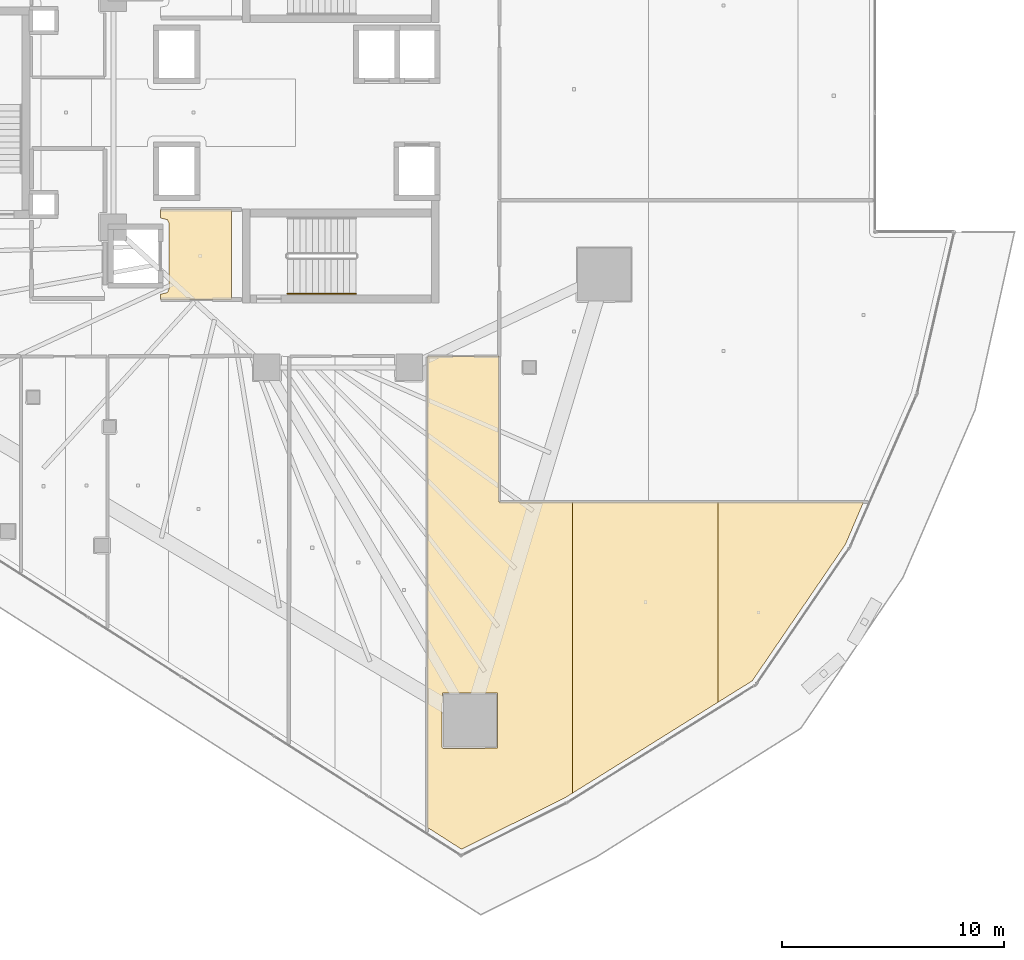
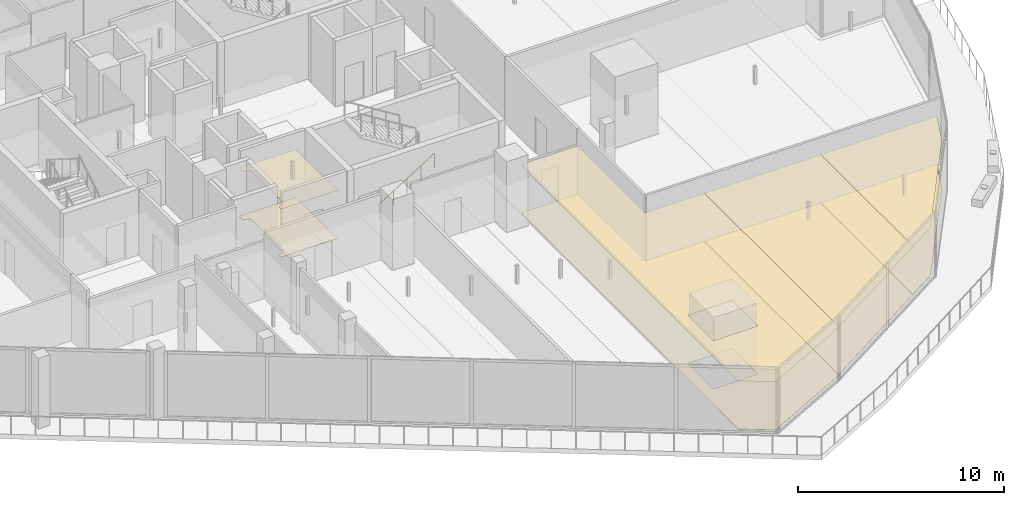
# One storey, part 38 of 44: 8 coverings, 1 railing.
"""IFC4 building model written with IfcOpenShell, lengths in metres."""

from ifc_helpers import new_model, si_unit, direction, frame, origin, origin_2d, place, context, subcontext, project, spatial, polyline, circle, outline, extrude, material, layer, layer_set, type_object, element, save


model = new_model("IFC4")

# Units and contexts
model_context = context("Model", 3, precision=1e-05, world=origin(), true_north=direction((0.0, 1.0)))
body_context = subcontext(model_context, "Body", "Model", "MODEL_VIEW")
ifc_project = project(units=[si_unit("LENGTHUNIT", "METRE"), si_unit("AREAUNIT", "SQUARE_METRE"), si_unit("VOLUMEUNIT", "CUBIC_METRE"), si_unit("PLANEANGLEUNIT", "RADIAN"), si_unit("MASSUNIT", "GRAM", prefix="KILO")], contexts=[model_context])

# Site, building, storey
site_placement = place(None, origin())
site = spatial("IfcSite", under=ifc_project, at=site_placement, CompositionType="ELEMENT")
building_placement = place(site_placement, origin())
building = spatial("IfcBuilding", under=site, at=building_placement, Name="Qorvath Tower", CompositionType="ELEMENT")
storey_placement = place(building_placement, frame((0.0, 0.0, 45.0)))
storey = spatial("IfcBuildingStorey", under=building, at=storey_placement, Name="L09", CompositionType="ELEMENT", Elevation=45.0)

# Coverings
ifc_material_1 = material(Name="Acoustic mineral fibre ceiling tile", Category="gypsum")
ifc_layer_1 = layer(ifc_material_1, 0.030029296875)
ifc_layer_set_1 = layer_set([ifc_layer_1], Name="COV-CEIL")
covering_type_1 = type_object("IfcCoveringType", Name="COV-CEIL", PredefinedType="CEILING", material=ifc_layer_set_1)
covering_1_placement = place(storey_placement, frame((0.0, 0.0, 2.85009765625)))
element("IfcCovering", 1, at=covering_1_placement, inside=storey, type_object=covering_type_1, Name="L09 Suspended Acoustic Ceiling 002", PredefinedType="CEILING", context=body_context, shape_type="SweptSolid", body=[
    extrude(outline(polyline([(-25.18994140625, -8.39501953125), (-25.18994140625, -4.35498046875), (-28.375, -4.35498046875), (-28.375, -4.739990234375), (-28.063232421875, -4.813232421875), (-27.989990234375, -4.989990234375), (-27.989990234375, -7.909912109375), (-28.063232421875, -8.086669921875), (-28.375, -8.159912109375), (-28.375, -8.39501953125), (-25.18994140625, -8.39501953125)])), origin(), (0.0, 0.0, 1.0), 0.030029296875),
])
covering_2_placement = place(storey_placement, frame((0.0, 0.0, 2.85009765625)))
element("IfcCovering", 2, at=covering_2_placement, inside=storey, type_object=covering_type_1, Name="L09 Suspended Acoustic Ceiling 030", PredefinedType="CEILING", context=body_context, shape_type="SweptSolid", body=[
    extrude(outline(polyline([(-14.8486328125, -33.114990234375), (-10.205810546875, -30.81591796875), (-9.845947265625, -30.59130859375), (-9.845947265625, -17.513427734375), (-13.14990234375, -17.51318359375), (-13.155029296875, -10.962890625), (-16.36474609375, -10.962890625), (-16.382568359375, -32.134765625), (-14.8486328125, -33.114990234375)]), holes=[polyline([(-15.724365234375, -28.53076171875), (-15.706787109375, -26.08837890625), (-13.221923828125, -26.08837890625), (-13.221923828125, -28.5732421875), (-15.664306640625, -28.5908203125), (-15.724365234375, -28.53076171875)])]), origin(), (0.0, 0.0, 1.0), 0.030029296875),
])
covering_3_placement = place(storey_placement, frame((0.0, 0.0, 2.85009765625)))
element("IfcCovering", 3, at=covering_3_placement, inside=storey, type_object=covering_type_1, Name="L09 Suspended Acoustic Ceiling 031", PredefinedType="CEILING", context=body_context, shape_type="SweptSolid", body=[
    extrude(outline(polyline([(-9.845947265625, -17.513427734375), (-9.845947265625, -30.59130859375), (-3.3095703125, -26.508544921875), (-3.3095703125, -17.51416015625), (-9.845947265625, -17.513427734375)])), origin(), (0.0, 0.0, 1.0), 0.030029296875),
])
covering_4_placement = place(storey_placement, frame((0.0, 0.0, 2.85009765625)))
element("IfcCovering", 4, at=covering_4_placement, inside=storey, type_object=covering_type_1, Name="L09 Suspended Acoustic Ceiling 032", PredefinedType="CEILING", context=body_context, shape_type="SweptSolid", body=[
    extrude(outline(polyline([(-3.3095703125, -17.51416015625), (-3.3095703125, -26.508544921875), (-1.77392578125, -25.549560546875), (2.416748046875, -19.414794921875), (3.22705078125, -17.5146484375), (-3.3095703125, -17.51416015625)])), origin(), (0.0, 0.0, 1.0), 0.030029296875),
])
ifc_material_2 = material(Name="Low-VOC modular carpet tile", Category="textile")
ifc_layer_2 = layer(ifc_material_2, 0.014892578125)
ifc_layer_set_2 = layer_set([ifc_layer_2], Name="COV-FLOOR-CPT")
covering_type_2 = type_object("IfcCoveringType", Name="COV-FLOOR-CPT", PredefinedType="FLOORING", material=ifc_layer_set_2)
covering_5_placement = place(storey_placement, origin())
element("IfcCovering", 5, at=covering_5_placement, inside=storey, type_object=covering_type_2, Name="L09 Floor Finish 030", PredefinedType="FLOORING", context=body_context, shape_type="SweptSolid", body=[
    extrude(outline(polyline([(-14.8486328125, -33.114990234375), (-10.205810546875, -30.81591796875), (-9.845947265625, -30.59130859375), (-9.845947265625, -17.513427734375), (-13.14990234375, -17.51318359375), (-13.155029296875, -10.962890625), (-16.36474609375, -10.962890625), (-16.382568359375, -32.134765625), (-14.8486328125, -33.114990234375)]), holes=[polyline([(-15.724365234375, -28.53076171875), (-15.706787109375, -26.08837890625), (-13.221923828125, -26.08837890625), (-13.221923828125, -28.5732421875), (-15.664306640625, -28.5908203125), (-15.724365234375, -28.53076171875)])]), origin(), (0.0, 0.0, 1.0), 0.014892578125),
])
covering_6_placement = place(storey_placement, origin())
element("IfcCovering", 6, at=covering_6_placement, inside=storey, type_object=covering_type_2, Name="L09 Floor Finish 031", PredefinedType="FLOORING", context=body_context, shape_type="SweptSolid", body=[
    extrude(outline(polyline([(-9.845947265625, -17.513427734375), (-9.845947265625, -30.59130859375), (-3.3095703125, -26.508544921875), (-3.3095703125, -17.51416015625), (-9.845947265625, -17.513427734375)])), origin(), (0.0, 0.0, 1.0), 0.014892578125),
])
covering_7_placement = place(storey_placement, origin())
element("IfcCovering", 7, at=covering_7_placement, inside=storey, type_object=covering_type_2, Name="L09 Floor Finish 032", PredefinedType="FLOORING", context=body_context, shape_type="SweptSolid", body=[
    extrude(outline(polyline([(-3.3095703125, -17.51416015625), (-3.3095703125, -26.508544921875), (-1.77392578125, -25.549560546875), (2.416748046875, -19.414794921875), (3.22705078125, -17.5146484375), (-3.3095703125, -17.51416015625)])), origin(), (0.0, 0.0, 1.0), 0.014892578125),
])
ifc_material_3 = material(Name="Polished epoxy terrazzo flooring", Category="concrete")
ifc_layer_3 = layer(ifc_material_3, 0.02001953125)
ifc_layer_set_3 = layer_set([ifc_layer_3], Name="COV-FLOOR-TRZ")
covering_type_3 = type_object("IfcCoveringType", Name="COV-FLOOR-TRZ", PredefinedType="FLOORING", material=ifc_layer_set_3)
covering_8_placement = place(storey_placement, origin())
element("IfcCovering", 8, at=covering_8_placement, inside=storey, type_object=covering_type_3, Name="L09 Floor Finish 002", PredefinedType="FLOORING", context=body_context, shape_type="SweptSolid", body=[
    extrude(outline(polyline([(-25.18994140625, -8.39501953125), (-25.18994140625, -4.35498046875), (-28.375, -4.35498046875), (-28.375, -4.739990234375), (-28.063232421875, -4.813232421875), (-27.989990234375, -4.989990234375), (-27.989990234375, -7.909912109375), (-28.063232421875, -8.086669921875), (-28.375, -8.159912109375), (-28.375, -8.39501953125), (-25.18994140625, -8.39501953125)])), origin(), (0.0, 0.0, 1.0), 0.014892578125),
])

# Railing
ifc_material_4 = material(Name="Brushed stainless steel AISI 304", Category="steel")
railing_type = type_object("IfcRailingType", Name="RL-STR-HND", PredefinedType="HANDRAIL", material=ifc_material_4)
railing_placement = place(storey_placement, frame((-22.669921875, -8.14990234375, 0.175048828125)))
element("IfcRailing", 9, at=railing_placement, inside=storey, type_object=railing_type, Name="L09 TS2 stair handrail 1", PredefinedType="HANDRAIL", context=body_context, shape_type="SweptSolid", body=[
    extrude(circle(Radius=0.02392578125, at=origin_2d()), frame((0.0, 0.0, 0.8759765625), z_axis=(0.847979421464, 0.0, 0.530029150871), x_axis=(0.0, 1.0, 0.0)), (0.0, 0.0, 1.0), 3.632080078125),
    extrude(circle(Radius=0.02099609375, at=origin_2d()), origin(), (0.0, 0.0, 1.0), 0.851806640625),
    extrude(circle(Radius=0.02099609375, at=origin_2d()), frame((0.77001953125, 0.0, 0.481201171875)), (0.0, 0.0, 1.0), 0.851806640625),
    extrude(circle(Radius=0.02099609375, at=origin_2d()), frame((1.5400390625, 0.0, 0.96240234375)), (0.0, 0.0, 1.0), 0.851806640625),
    extrude(circle(Radius=0.02099609375, at=origin_2d()), frame((2.309814453125, 0.0, 1.44384765625)), (0.0, 0.0, 1.0), 0.851806640625),
    extrude(circle(Radius=0.02099609375, at=origin_2d()), frame((3.079833984375, 0.0, 1.925048828125)), (0.0, 0.0, 1.0), 0.851806640625),
])

save(model, "model.ifc")
